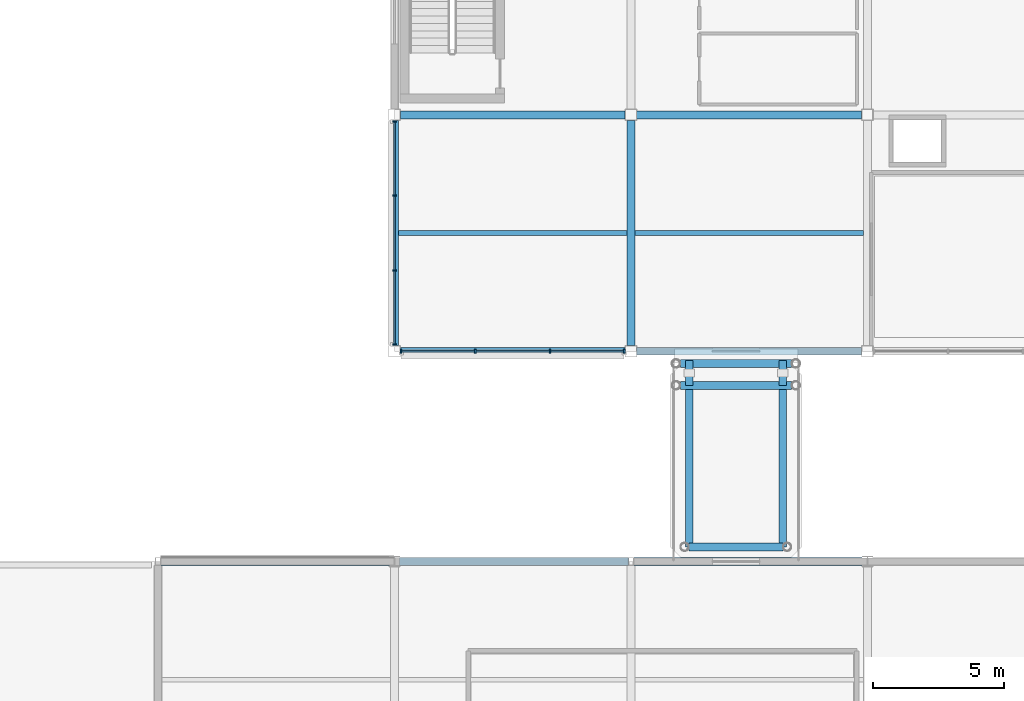
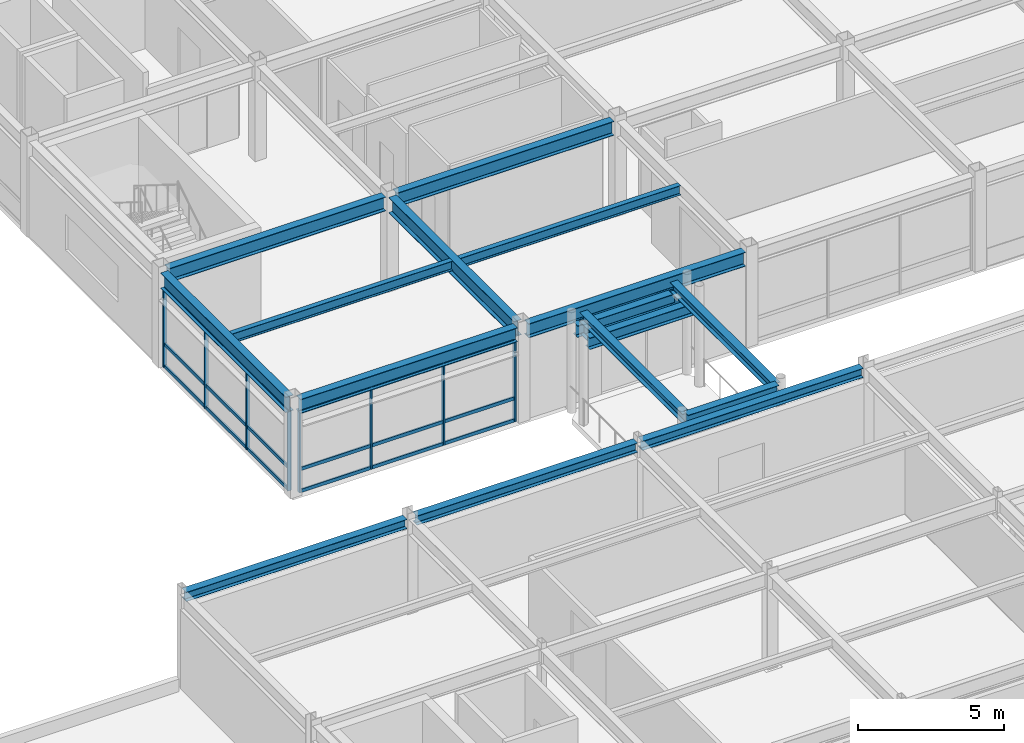
# One storey, part 53 of 105: 26 members, 18 beams, 2 elements without a shape of their own.
"""IFC4 building model written with IfcOpenShell, lengths in metres."""

from ifc_helpers import new_model, si_unit, direction, frame, origin, origin_2d, place, context, subcontext, project, spatial, rectangle, i_section, extrude, material, material_profile, profile_set, type_object, element, aggregate, save


model = new_model("IFC4")

# Units and contexts
model_context = context("Model", 3, precision=1e-05, world=origin(), true_north=direction((0.0, 1.0)))
body_context = subcontext(model_context, "Body", "Model", "MODEL_VIEW")
ifc_project = project(units=[si_unit("LENGTHUNIT", "METRE"), si_unit("AREAUNIT", "SQUARE_METRE"), si_unit("VOLUMEUNIT", "CUBIC_METRE"), si_unit("PLANEANGLEUNIT", "RADIAN"), si_unit("MASSUNIT", "GRAM", prefix="KILO")], contexts=[model_context])

# Site, building, storey
site_placement = place(None, origin())
site = spatial("IfcSite", under=ifc_project, at=site_placement, CompositionType="ELEMENT")
building_placement = place(site_placement, origin())
building = spatial("IfcBuilding", under=site, at=building_placement, Name="Suzunagisa Mobility Hub", CompositionType="ELEMENT")
storey_placement = place(building_placement, frame((0.0, 0.0, 5.10009765625)))
storey = spatial("IfcBuildingStorey", under=building, at=storey_placement, Name="L01", CompositionType="ELEMENT", Elevation=5.10009765625)

# Curtain wall, members
ifc_material_1 = material(Name="Thermally Broken Anodized Aluminum and Low-E Glazing", Category="aluminium")
curtain_wall_type_1 = type_object("IfcCurtainWallType", Name="Unitised Curtain Wall CW-29 8500x3400", PredefinedType="USERDEFINED", material=ifc_material_1)
curtain_wall_1_placement = place(storey_placement, origin())
curtain_wall_1 = element("IfcCurtainWall", 1, at=curtain_wall_1_placement, inside=storey, type_object=curtain_wall_type_1, Name="L01 Unitised Curtain Wall CW-183", ObjectType="UNITISED CURTAIN WALL", PredefinedType="USERDEFINED")
ifc_material_2 = material(Name="Anodized Aluminum 6063-T6", Category="aluminium")
ifc_material_profile_1 = material_profile(ifc_material_2, rectangle(XDim=0.06494140625, YDim=0.139892578125, at=origin_2d()), Name="TRAN-65x140")
ifc_profile_set_1 = profile_set([ifc_material_profile_1], Name="Anodized Aluminum 6063-T6")
member_type_1 = type_object("IfcMemberType", Name="Curtain Wall Framing CM-01 TRAN-65x140", PredefinedType="USERDEFINED", material=ifc_profile_set_1)
member_1_placement = place(storey_placement, frame((144.282958984375, 44.0, 0.032470703125), z_axis=(1.0, 0.0, 0.0), x_axis=(0.0, 1.0, 0.0)))
member_1 = element("IfcMember", 2, at=member_1_placement, type_object=member_type_1, Name="Curtain Wall Transom 183-T1.1", ObjectType="TRANSOM", PredefinedType="USERDEFINED", context=body_context, shape_type="SweptSolid", body=[
    extrude(rectangle(XDim=0.06494140625, YDim=0.139892578125, at=origin_2d()), origin(), (0.0, 0.0, 1.0), 2.76416015625),
])
member_2_placement = place(storey_placement, frame((144.282958984375, 44.0, 0.949951171875), z_axis=(1.0, 0.0, 0.0), x_axis=(0.0, 1.0, 0.0)))
member_2 = element("IfcMember", 3, at=member_2_placement, type_object=member_type_1, Name="Curtain Wall Transom 183-T1.2", ObjectType="TRANSOM", PredefinedType="USERDEFINED", context=body_context, shape_type="SweptSolid", body=[
    extrude(rectangle(XDim=0.06494140625, YDim=0.139892578125, at=origin_2d()), origin(), (0.0, 0.0, 1.0), 2.76416015625),
])
member_3_placement = place(storey_placement, frame((144.282958984375, 44.0, 3.329345703125), z_axis=(1.0, 0.0, 0.0), x_axis=(0.0, 1.0, 0.0)))
member_3 = element("IfcMember", 4, at=member_3_placement, type_object=member_type_1, Name="Curtain Wall Transom 183-T1.3", ObjectType="TRANSOM", PredefinedType="USERDEFINED", context=body_context, shape_type="SweptSolid", body=[
    extrude(rectangle(XDim=0.06494140625, YDim=0.139892578125, at=origin_2d()), origin(), (0.0, 0.0, 1.0), 2.76416015625),
])
member_4_placement = place(storey_placement, frame((147.10302734375, 44.0, 0.032470703125), z_axis=(1.0, 0.0, 0.0), x_axis=(0.0, 1.0, 0.0)))
member_4 = element("IfcMember", 5, at=member_4_placement, type_object=member_type_1, Name="Curtain Wall Transom 183-T2.1", ObjectType="TRANSOM", PredefinedType="USERDEFINED", context=body_context, shape_type="SweptSolid", body=[
    extrude(rectangle(XDim=0.06494140625, YDim=0.139892578125, at=origin_2d()), origin(), (0.0, 0.0, 1.0), 2.7939453125),
])
member_5_placement = place(storey_placement, frame((147.10302734375, 44.0, 0.949951171875), z_axis=(1.0, 0.0, 0.0), x_axis=(0.0, 1.0, 0.0)))
member_5 = element("IfcMember", 6, at=member_5_placement, type_object=member_type_1, Name="Curtain Wall Transom 183-T2.2", ObjectType="TRANSOM", PredefinedType="USERDEFINED", context=body_context, shape_type="SweptSolid", body=[
    extrude(rectangle(XDim=0.06494140625, YDim=0.139892578125, at=origin_2d()), origin(), (0.0, 0.0, 1.0), 2.7939453125),
])
member_6_placement = place(storey_placement, frame((147.10302734375, 44.0, 3.329345703125), z_axis=(1.0, 0.0, 0.0), x_axis=(0.0, 1.0, 0.0)))
member_6 = element("IfcMember", 7, at=member_6_placement, type_object=member_type_1, Name="Curtain Wall Transom 183-T2.3", ObjectType="TRANSOM", PredefinedType="USERDEFINED", context=body_context, shape_type="SweptSolid", body=[
    extrude(rectangle(XDim=0.06494140625, YDim=0.139892578125, at=origin_2d()), origin(), (0.0, 0.0, 1.0), 2.7939453125),
])
member_7_placement = place(storey_placement, frame((149.952880859375, 44.0, 0.032470703125), z_axis=(1.0, 0.0, 0.0), x_axis=(0.0, 1.0, 0.0)))
member_7 = element("IfcMember", 8, at=member_7_placement, type_object=member_type_1, Name="Curtain Wall Transom 183-T3.1", ObjectType="TRANSOM", PredefinedType="USERDEFINED", context=body_context, shape_type="SweptSolid", body=[
    extrude(rectangle(XDim=0.06494140625, YDim=0.139892578125, at=origin_2d()), origin(), (0.0, 0.0, 1.0), 2.76416015625),
])
member_8_placement = place(storey_placement, frame((149.952880859375, 44.0, 0.949951171875), z_axis=(1.0, 0.0, 0.0), x_axis=(0.0, 1.0, 0.0)))
member_8 = element("IfcMember", 9, at=member_8_placement, type_object=member_type_1, Name="Curtain Wall Transom 183-T3.2", ObjectType="TRANSOM", PredefinedType="USERDEFINED", context=body_context, shape_type="SweptSolid", body=[
    extrude(rectangle(XDim=0.06494140625, YDim=0.139892578125, at=origin_2d()), origin(), (0.0, 0.0, 1.0), 2.76416015625),
])
member_9_placement = place(storey_placement, frame((149.952880859375, 44.0, 3.329345703125), z_axis=(1.0, 0.0, 0.0), x_axis=(0.0, 1.0, 0.0)))
member_9 = element("IfcMember", 10, at=member_9_placement, type_object=member_type_1, Name="Curtain Wall Transom 183-T3.3", ObjectType="TRANSOM", PredefinedType="USERDEFINED", context=body_context, shape_type="SweptSolid", body=[
    extrude(rectangle(XDim=0.06494140625, YDim=0.139892578125, at=origin_2d()), origin(), (0.0, 0.0, 1.0), 2.76416015625),
])

curtain_wall_type_2 = type_object("IfcCurtainWallType", Name="Unitised Curtain Wall CW-43 8500x3300", PredefinedType="USERDEFINED", material=ifc_material_1)
curtain_wall_2_placement = place(storey_placement, origin())
curtain_wall_2 = element("IfcCurtainWall", 11, at=curtain_wall_2_placement, inside=storey, type_object=curtain_wall_type_2, Name="L01 Unitised Curtain Wall CW-195", ObjectType="UNITISED CURTAIN WALL", PredefinedType="USERDEFINED")
member_10_placement = place(storey_placement, frame((144.0, 52.717041015625, 0.032470703125), z_axis=(0.0, -1.0, 0.0), x_axis=(1.0, 0.0, 0.0)))
member_10 = element("IfcMember", 12, at=member_10_placement, type_object=member_type_1, Name="Curtain Wall Transom 195-T1.1", ObjectType="TRANSOM", PredefinedType="USERDEFINED", context=body_context, shape_type="SweptSolid", body=[
    extrude(rectangle(XDim=0.06494140625, YDim=0.139892578125, at=origin_2d()), origin(), (0.0, 0.0, 1.0), 2.76416015625),
])
member_11_placement = place(storey_placement, frame((144.0, 52.717041015625, 0.949951171875), z_axis=(0.0, -1.0, 0.0), x_axis=(1.0, 0.0, 0.0)))
member_11 = element("IfcMember", 13, at=member_11_placement, type_object=member_type_1, Name="Curtain Wall Transom 195-T1.2", ObjectType="TRANSOM", PredefinedType="USERDEFINED", context=body_context, shape_type="SweptSolid", body=[
    extrude(rectangle(XDim=0.06494140625, YDim=0.139892578125, at=origin_2d()), origin(), (0.0, 0.0, 1.0), 2.76416015625),
])
member_12_placement = place(storey_placement, frame((144.0, 52.717041015625, 3.267333984375), z_axis=(0.0, -1.0, 0.0), x_axis=(1.0, 0.0, 0.0)))
member_12 = element("IfcMember", 14, at=member_12_placement, type_object=member_type_1, Name="Curtain Wall Transom 195-T1.3", ObjectType="TRANSOM", PredefinedType="USERDEFINED", context=body_context, shape_type="SweptSolid", body=[
    extrude(rectangle(XDim=0.06494140625, YDim=0.139892578125, at=origin_2d()), origin(), (0.0, 0.0, 1.0), 2.76416015625),
])
member_13_placement = place(storey_placement, frame((144.0, 49.89697265625, 0.032470703125), z_axis=(0.0, -1.0, 0.0), x_axis=(1.0, 0.0, 0.0)))
member_13 = element("IfcMember", 15, at=member_13_placement, type_object=member_type_1, Name="Curtain Wall Transom 195-T2.1", ObjectType="TRANSOM", PredefinedType="USERDEFINED", context=body_context, shape_type="SweptSolid", body=[
    extrude(rectangle(XDim=0.06494140625, YDim=0.139892578125, at=origin_2d()), origin(), (0.0, 0.0, 1.0), 2.7939453125),
])
member_14_placement = place(storey_placement, frame((144.0, 49.89697265625, 0.949951171875), z_axis=(0.0, -1.0, 0.0), x_axis=(1.0, 0.0, 0.0)))
member_14 = element("IfcMember", 16, at=member_14_placement, type_object=member_type_1, Name="Curtain Wall Transom 195-T2.2", ObjectType="TRANSOM", PredefinedType="USERDEFINED", context=body_context, shape_type="SweptSolid", body=[
    extrude(rectangle(XDim=0.06494140625, YDim=0.139892578125, at=origin_2d()), origin(), (0.0, 0.0, 1.0), 2.7939453125),
])
member_15_placement = place(storey_placement, frame((144.0, 49.89697265625, 3.267333984375), z_axis=(0.0, -1.0, 0.0), x_axis=(1.0, 0.0, 0.0)))
member_15 = element("IfcMember", 17, at=member_15_placement, type_object=member_type_1, Name="Curtain Wall Transom 195-T2.3", ObjectType="TRANSOM", PredefinedType="USERDEFINED", context=body_context, shape_type="SweptSolid", body=[
    extrude(rectangle(XDim=0.06494140625, YDim=0.139892578125, at=origin_2d()), origin(), (0.0, 0.0, 1.0), 2.7939453125),
])
member_16_placement = place(storey_placement, frame((144.0, 47.047119140625, 0.032470703125), z_axis=(0.0, -1.0, 0.0), x_axis=(1.0, 0.0, 0.0)))
member_16 = element("IfcMember", 18, at=member_16_placement, type_object=member_type_1, Name="Curtain Wall Transom 195-T3.1", ObjectType="TRANSOM", PredefinedType="USERDEFINED", context=body_context, shape_type="SweptSolid", body=[
    extrude(rectangle(XDim=0.06494140625, YDim=0.139892578125, at=origin_2d()), origin(), (0.0, 0.0, 1.0), 2.76416015625),
])
member_17_placement = place(storey_placement, frame((144.0, 47.047119140625, 0.949951171875), z_axis=(0.0, -1.0, 0.0), x_axis=(1.0, 0.0, 0.0)))
member_17 = element("IfcMember", 19, at=member_17_placement, type_object=member_type_1, Name="Curtain Wall Transom 195-T3.2", ObjectType="TRANSOM", PredefinedType="USERDEFINED", context=body_context, shape_type="SweptSolid", body=[
    extrude(rectangle(XDim=0.06494140625, YDim=0.139892578125, at=origin_2d()), origin(), (0.0, 0.0, 1.0), 2.76416015625),
])
member_18_placement = place(storey_placement, frame((144.0, 47.047119140625, 3.267333984375), z_axis=(0.0, -1.0, 0.0), x_axis=(1.0, 0.0, 0.0)))
member_18 = element("IfcMember", 20, at=member_18_placement, type_object=member_type_1, Name="Curtain Wall Transom 195-T3.3", ObjectType="TRANSOM", PredefinedType="USERDEFINED", context=body_context, shape_type="SweptSolid", body=[
    extrude(rectangle(XDim=0.06494140625, YDim=0.139892578125, at=origin_2d()), origin(), (0.0, 0.0, 1.0), 2.76416015625),
])

# Member
ifc_material_profile_2 = material_profile(ifc_material_2, rectangle(XDim=0.06005859375, YDim=0.14990234375, at=origin_2d()), Name="MULL-60x150")
ifc_profile_set_2 = profile_set([ifc_material_profile_2], Name="Anodized Aluminum 6063-T6")
member_type_2 = type_object("IfcMemberType", Name="Curtain Wall Framing CM-03 MULL-60x150", PredefinedType="MULLION", material=ifc_profile_set_2)
member_19_placement = place(storey_placement, frame((144.2548828125, 44.0, 0.0), z_axis=(0.0, 0.0, 1.0), x_axis=(1.0, 0.0, 0.0)))
member_19 = element("IfcMember", 21, at=member_19_placement, type_object=member_type_2, Name="Curtain Wall Mullion 183-M1", PredefinedType="MULLION", context=body_context, shape_type="SweptSolid", body=[
    extrude(rectangle(XDim=0.06005859375, YDim=0.14990234375, at=origin_2d()), origin(), (0.0, 0.0, 1.0), 3.36181640625),
])

member_20_placement = place(storey_placement, frame((147.074951171875, 44.0, 0.0), z_axis=(0.0, 0.0, 1.0), x_axis=(1.0, 0.0, 0.0)))
member_20 = element("IfcMember", 22, at=member_20_placement, type_object=member_type_2, Name="Curtain Wall Mullion 183-M2", PredefinedType="MULLION", context=body_context, shape_type="SweptSolid", body=[
    extrude(rectangle(XDim=0.06005859375, YDim=0.14990234375, at=origin_2d()), origin(), (0.0, 0.0, 1.0), 3.36181640625),
])

member_21_placement = place(storey_placement, frame((149.925048828125, 44.0, 0.0), z_axis=(0.0, 0.0, 1.0), x_axis=(1.0, 0.0, 0.0)))
member_21 = element("IfcMember", 23, at=member_21_placement, type_object=member_type_2, Name="Curtain Wall Mullion 183-M3", PredefinedType="MULLION", context=body_context, shape_type="SweptSolid", body=[
    extrude(rectangle(XDim=0.06005859375, YDim=0.14990234375, at=origin_2d()), origin(), (0.0, 0.0, 1.0), 3.36181640625),
])

member_22_placement = place(storey_placement, frame((152.7451171875, 44.0, 0.0), z_axis=(0.0, 0.0, 1.0), x_axis=(1.0, 0.0, 0.0)))
member_22 = element("IfcMember", 24, at=member_22_placement, type_object=member_type_2, Name="Curtain Wall Mullion 183-M4", PredefinedType="MULLION", context=body_context, shape_type="SweptSolid", body=[
    extrude(rectangle(XDim=0.06005859375, YDim=0.14990234375, at=origin_2d()), origin(), (0.0, 0.0, 1.0), 3.36181640625),
])

aggregate(curtain_wall_1, [member_19, member_20, member_21, member_22, member_1, member_2, member_3, member_4, member_5, member_6, member_7, member_8, member_9])

member_23_placement = place(storey_placement, frame((144.0, 52.7451171875, 0.0), z_axis=(0.0, 0.0, 1.0), x_axis=(0.0, -1.0, 0.0)))
member_23 = element("IfcMember", 25, at=member_23_placement, type_object=member_type_2, Name="Curtain Wall Mullion 195-M1", PredefinedType="MULLION", context=body_context, shape_type="SweptSolid", body=[
    extrude(rectangle(XDim=0.06005859375, YDim=0.14990234375, at=origin_2d()), origin(), (0.0, 0.0, 1.0), 3.2998046875),
])

member_24_placement = place(storey_placement, frame((144.0, 49.925048828125, 0.0), z_axis=(0.0, 0.0, 1.0), x_axis=(0.0, -1.0, 0.0)))
member_24 = element("IfcMember", 26, at=member_24_placement, type_object=member_type_2, Name="Curtain Wall Mullion 195-M2", PredefinedType="MULLION", context=body_context, shape_type="SweptSolid", body=[
    extrude(rectangle(XDim=0.06005859375, YDim=0.14990234375, at=origin_2d()), origin(), (0.0, 0.0, 1.0), 3.2998046875),
])

member_25_placement = place(storey_placement, frame((144.0, 47.074951171875, 0.0), z_axis=(0.0, 0.0, 1.0), x_axis=(0.0, -1.0, 0.0)))
member_25 = element("IfcMember", 27, at=member_25_placement, type_object=member_type_2, Name="Curtain Wall Mullion 195-M3", PredefinedType="MULLION", context=body_context, shape_type="SweptSolid", body=[
    extrude(rectangle(XDim=0.06005859375, YDim=0.14990234375, at=origin_2d()), origin(), (0.0, 0.0, 1.0), 3.2998046875),
])

member_26_placement = place(storey_placement, frame((144.0, 44.2548828125, 0.0), z_axis=(0.0, 0.0, 1.0), x_axis=(0.0, -1.0, 0.0)))
member_26 = element("IfcMember", 28, at=member_26_placement, type_object=member_type_2, Name="Curtain Wall Mullion 195-M4", PredefinedType="MULLION", context=body_context, shape_type="SweptSolid", body=[
    extrude(rectangle(XDim=0.06005859375, YDim=0.14990234375, at=origin_2d()), origin(), (0.0, 0.0, 1.0), 3.2998046875),
])

aggregate(curtain_wall_2, [member_23, member_24, member_25, member_26, member_10, member_11, member_12, member_13, member_14, member_15, member_16, member_17, member_18])

# Beams
ifc_material_3 = material(Name="Steel SN490B", Category="steel")
ifc_material_profile_3 = material_profile(ifc_material_3, i_section(OverallWidth=0.300048828125, OverallDepth=0.488037109375, WebThickness=0.010986328125, FlangeThickness=0.01806640625, FilletRadius=0.012939453125, at=origin_2d()), Name="H-488x300x11x18")
ifc_profile_set_3 = profile_set([ifc_material_profile_3], Name="Steel SN490B")
beam_type_1 = type_object("IfcBeamType", Name="Steel Beam BM-06 H-488x300x11x18", PredefinedType="BEAM", material=ifc_profile_set_3)
beam_placement = place(storey_placement, frame((155.2099609375, 36.550048828125, 3.7158203125), z_axis=(1.0, 0.0, 0.0), x_axis=(0.0, 1.0, 0.0)))
element("IfcBeam", 29, at=beam_placement, inside=storey, type_object=beam_type_1, Name="L02 Skybridge Fixed Crosshead SB-04", PredefinedType="BEAM", context=body_context, shape_type="SweptSolid", body=[
    extrude(i_section(OverallWidth=0.300048828125, OverallDepth=0.488037109375, WebThickness=0.010986328125, FlangeThickness=0.01806640625, FilletRadius=0.012939453125, at=origin_2d()), origin(), (0.0, 0.0, 1.0), 3.580078125),
])
for number, where, z_axis, x_axis, name in (
    (30, (154.8798828125, 42.699951171875, 3.325927734375), (1.0, 0.0, 0.0), (0.0, 1.0, 0.0), "L02 Skybridge Seat Crosshead SB-04-S"),
    (31, (154.8798828125, 43.530029296875, 3.325927734375), (1.0, 0.0, 0.0), (0.0, 1.0, 0.0), "L02 Skybridge Seat Crosshead SB-04-N"),
):
    element("IfcBeam", number, at=place(storey_placement, frame(where, z_axis=z_axis, x_axis=x_axis)), inside=storey, type_object=beam_type_1, Name=name, PredefinedType="BEAM", context=body_context, shape_type="SweptSolid", body=[
        extrude(i_section(OverallWidth=0.300048828125, OverallDepth=0.488037109375, WebThickness=0.010986328125, FlangeThickness=0.01806640625, FilletRadius=0.012939453125, at=origin_2d()), origin(), (0.0, 0.0, 1.0), 4.240234375),
    ])
for number, where, z_axis, x_axis, name in (
    (32, (155.219970703125, 42.699951171875, 3.325927734375), (0.0, 1.0, 0.0), (-1.0, 0.0, 0.0), "L02 Skybridge 950mm Bearing Seat SB-04-A"),
    (33, (158.780029296875, 42.699951171875, 3.325927734375), (0.0, 1.0, 0.0), (-1.0, 0.0, 0.0), "L02 Skybridge 950mm Bearing Seat SB-04-B"),
):
    element("IfcBeam", number, at=place(storey_placement, frame(where, z_axis=z_axis, x_axis=x_axis)), inside=storey, type_object=beam_type_1, Name=name, PredefinedType="BEAM", context=body_context, shape_type="SweptSolid", body=[
        extrude(i_section(OverallWidth=0.300048828125, OverallDepth=0.488037109375, WebThickness=0.010986328125, FlangeThickness=0.01806640625, FilletRadius=0.012939453125, at=origin_2d()), origin(), (0.0, 0.0, 1.0), 0.949951171875),
    ])
ifc_material_profile_4 = material_profile(ifc_material_3, i_section(OverallWidth=0.300048828125, OverallDepth=0.64990234375, WebThickness=0.012939453125, FlangeThickness=0.02197265625, FilletRadius=0.01611328125, at=origin_2d()), Name="H-650x300x13x22")
ifc_profile_set_4 = profile_set([ifc_material_profile_4], Name="Steel SN490B")
beam_type_2 = type_object("IfcBeamType", Name="Steel Beam BM-10 H-650x300x13x22", PredefinedType="BEAM", material=ifc_profile_set_4)
for number, where, z_axis, x_axis, name in (
    (34, (144.0, 44.220947265625, 3.625), (0.0, 1.0, 0.0), (-1.0, 0.0, 0.0), "L01 Primary Girder GY-1823"),
    (35, (153.0, 44.220947265625, 3.625), (0.0, 1.0, 0.0), (-1.0, 0.0, 0.0), "L01 Primary Girder GY-1829"),
):
    element("IfcBeam", number, at=place(storey_placement, frame(where, z_axis=z_axis, x_axis=x_axis)), inside=storey, type_object=beam_type_2, Name=name, PredefinedType="BEAM", context=body_context, shape_type="SweptSolid", body=[
        extrude(i_section(OverallWidth=0.300048828125, OverallDepth=0.64990234375, WebThickness=0.012939453125, FlangeThickness=0.02197265625, FilletRadius=0.01611328125, at=origin_2d()), origin(), (0.0, 0.0, 1.0), 8.55810546875),
    ])
ifc_material_profile_5 = material_profile(ifc_material_3, i_section(OverallWidth=0.300048828125, OverallDepth=0.389892578125, WebThickness=0.010009765625, FlangeThickness=0.01611328125, FilletRadius=0.012939453125, at=origin_2d()), Name="H-390x300x10x16")
ifc_profile_set_5 = profile_set([ifc_material_profile_5], Name="Steel SN490B")
beam_type_3 = type_object("IfcBeamType", Name="Steel Beam BM-13 H-390x300x10x16", PredefinedType="SPANDREL", material=ifc_profile_set_5)
for number, where, z_axis, x_axis, name in (
    (36, (135.095947265625, 36.0, 3.7548828125), (1.0, 0.0, 0.0), (0.0, 1.0, 0.0), "L01 Primary Girder GX-1484"),
    (37, (144.196044921875, 36.0, 3.7548828125), (1.0, 0.0, 0.0), (0.0, 1.0, 0.0), "L01 Primary Girder GX-1485"),
    (38, (153.095947265625, 36.0, 3.7548828125), (1.0, 0.0, 0.0), (0.0, 1.0, 0.0), "L01 Primary Girder GX-1486"),
):
    element("IfcBeam", number, at=place(storey_placement, frame(where, z_axis=z_axis, x_axis=x_axis)), inside=storey, type_object=beam_type_3, Name=name, PredefinedType="SPANDREL", context=body_context, shape_type="SweptSolid", body=[
        extrude(i_section(OverallWidth=0.300048828125, OverallDepth=0.389892578125, WebThickness=0.010009765625, FlangeThickness=0.01611328125, FilletRadius=0.012939453125, at=origin_2d()), origin(), (0.0, 0.0, 1.0), 8.7080078125),
    ])
ifc_material_4 = material(Name="Steel SN400B", Category="steel")
ifc_material_profile_6 = material_profile(ifc_material_4, i_section(OverallWidth=0.199951171875, OverallDepth=0.39990234375, WebThickness=0.008056640625, FlangeThickness=0.012939453125, FilletRadius=0.012939453125, at=origin_2d()), Name="H-400x200x8x13")
ifc_profile_set_6 = profile_set([ifc_material_profile_6], Name="Steel SN400B")
beam_type_4 = type_object("IfcBeamType", Name="Steel Beam BM-14 H-400x200x8x13", PredefinedType="JOIST", material=ifc_profile_set_6)
for number, where, z_axis, x_axis, name in (
    (39, (144.14990234375, 48.5, 3.75), (1.0, 0.0, 0.0), (0.0, 1.0, 0.0), "L01 Composite Floor Joist J-1853"),
    (40, (153.14990234375, 48.5, 3.75), (1.0, 0.0, 0.0), (0.0, 1.0, 0.0), "L01 Composite Floor Joist J-1856"),
):
    element("IfcBeam", number, at=place(storey_placement, frame(where, z_axis=z_axis, x_axis=x_axis)), inside=storey, type_object=beam_type_4, Name=name, PredefinedType="JOIST", context=body_context, shape_type="SweptSolid", body=[
        extrude(i_section(OverallWidth=0.199951171875, OverallDepth=0.39990234375, WebThickness=0.008056640625, FlangeThickness=0.012939453125, FilletRadius=0.012939453125, at=origin_2d()), origin(), (0.0, 0.0, 1.0), 8.7001953125),
    ])
ifc_material_profile_7 = material_profile(ifc_material_3, i_section(OverallWidth=0.300048828125, OverallDepth=0.587890625, WebThickness=0.011962890625, FlangeThickness=0.02001953125, FilletRadius=0.012939453125, at=origin_2d()), Name="H-588x300x12x20")
ifc_profile_set_7 = profile_set([ifc_material_profile_7], Name="Steel SN490B")
beam_type_5 = type_object("IfcBeamType", Name="Steel Beam BM-16 H-588x300x12x20", PredefinedType="BEAM", material=ifc_profile_set_7)
for number, where, z_axis, x_axis, name in (
    (41, (144.220947265625, 44.0, 3.656005859375), (1.0, 0.0, 0.0), (0.0, 1.0, 0.0), "L01 Primary Girder GX-1795"),
    (42, (153.220947265625, 44.0, 3.656005859375), (1.0, 0.0, 0.0), (0.0, 1.0, 0.0), "L01 Primary Girder GX-1796"),
    (43, (144.220947265625, 53.0, 3.656005859375), (1.0, 0.0, 0.0), (0.0, 1.0, 0.0), "L01 Primary Girder GX-1799"),
    (44, (153.220947265625, 53.0, 3.656005859375), (1.0, 0.0, 0.0), (0.0, 1.0, 0.0), "L01 Primary Girder GX-1800"),
):
    element("IfcBeam", number, at=place(storey_placement, frame(where, z_axis=z_axis, x_axis=x_axis)), inside=storey, type_object=beam_type_5, Name=name, PredefinedType="BEAM", context=body_context, shape_type="SweptSolid", body=[
        extrude(i_section(OverallWidth=0.300048828125, OverallDepth=0.587890625, WebThickness=0.011962890625, FlangeThickness=0.02001953125, FilletRadius=0.012939453125, at=origin_2d()), origin(), (0.0, 0.0, 1.0), 8.55810546875),
    ])
ifc_material_profile_8 = material_profile(ifc_material_3, i_section(OverallWidth=0.300048828125, OverallDepth=0.389892578125, WebThickness=0.010009765625, FlangeThickness=0.01611328125, FilletRadius=0.012939453125, at=origin_2d()), Name="H-390x300x10x16")
ifc_profile_set_8 = profile_set([ifc_material_profile_8], Name="Steel SN490B")
beam_type_6 = type_object("IfcBeamType", Name="Steel Beam BM-17 H-390x300x10x16", PredefinedType="T_BEAM", material=ifc_profile_set_8)
for number, where, z_axis, x_axis, name in (
    (45, (155.219970703125, 36.550048828125, 3.764892578125), (0.0, 1.0, 0.0), (-1.0, 0.0, 0.0), "L02 Bridge Girder SB-04-A"),
    (46, (158.780029296875, 36.550048828125, 3.764892578125), (0.0, 1.0, 0.0), (-1.0, 0.0, 0.0), "L02 Bridge Girder SB-04-B"),
):
    element("IfcBeam", number, at=place(storey_placement, frame(where, z_axis=z_axis, x_axis=x_axis)), inside=storey, type_object=beam_type_6, Name=name, PredefinedType="T_BEAM", context=body_context, shape_type="SweptSolid", body=[
        extrude(i_section(OverallWidth=0.300048828125, OverallDepth=0.389892578125, WebThickness=0.010009765625, FlangeThickness=0.01611328125, FilletRadius=0.012939453125, at=origin_2d()), origin(), (0.0, 0.0, 1.0), 7.02001953125),
    ])

save(model, "model.ifc")
